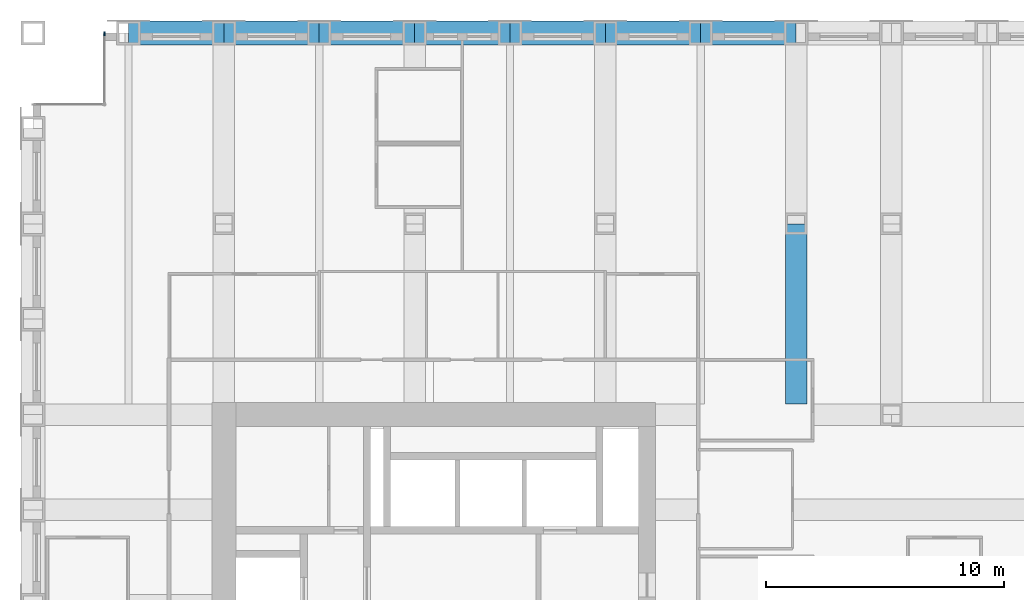
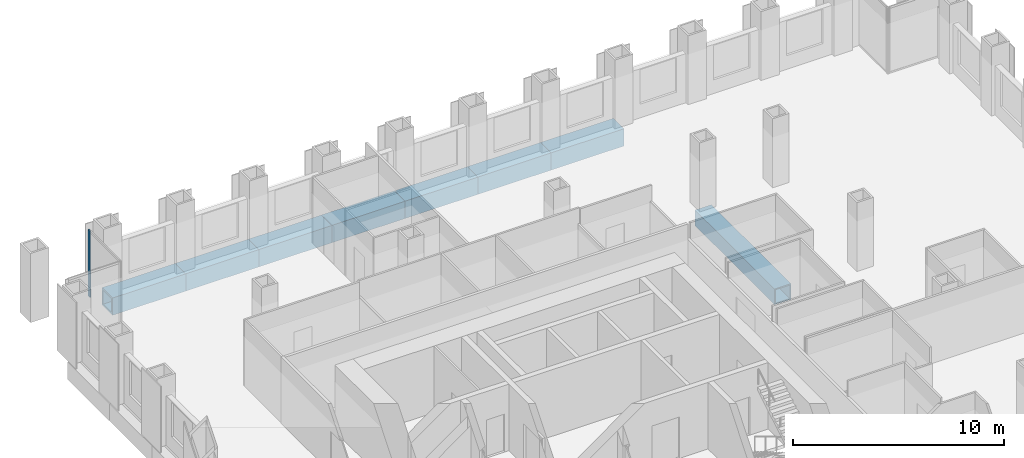
# One storey, part 8 of 16: 8 beams, 1 member, 1 element without a shape of its own.
"""IFC4 building model written with IfcOpenShell, lengths in metres."""

from ifc_helpers import new_model, si_unit, direction, frame, origin, origin_2d, place, context, subcontext, project, spatial, rectangle, hollow_rectangle, extrude, material, material_profile, profile_set, type_object, element, aggregate, save


model = new_model("IFC4")

# Units and contexts
model_context = context("Model", 3, precision=1e-05, world=origin(), true_north=direction((0.0, 1.0)))
body_context = subcontext(model_context, "Body", "Model", "MODEL_VIEW")
ifc_project = project(units=[si_unit("LENGTHUNIT", "METRE"), si_unit("AREAUNIT", "SQUARE_METRE"), si_unit("VOLUMEUNIT", "CUBIC_METRE"), si_unit("PLANEANGLEUNIT", "RADIAN"), si_unit("MASSUNIT", "GRAM", prefix="KILO")], contexts=[model_context])

# Site, building, storey
site_placement = place(None, origin())
site = spatial("IfcSite", under=ifc_project, at=site_placement, CompositionType="ELEMENT")
building_placement = place(site_placement, origin())
building = spatial("IfcBuilding", under=site, at=building_placement, Name="Rimbunsela Tower", CompositionType="ELEMENT")
storey_placement = place(building_placement, frame((0.0, 0.0, 121.39990234375)))
storey = spatial("IfcBuildingStorey", under=building, at=storey_placement, Name="L29", CompositionType="ELEMENT", Elevation=121.39990234375)

# Beams
ifc_material_1 = material(Name="Steel BJ 55 (fy 410 MPa)", Category="steel")
ifc_material_profile_1 = material_profile(ifc_material_1, hollow_rectangle(XDim=1.0, YDim=1.0, WallThickness=0.10009765625, at=origin_2d()), Name="BOX 1000x1000x100")
ifc_profile_set_1 = profile_set([ifc_material_profile_1], Name="Steel BJ 55 (fy 410 MPa)")
beam_type_1 = type_object("IfcBeamType", Name="Beam BOX 1000x1000x100", PredefinedType="BEAM", material=ifc_profile_set_1)
for number, where, z_axis, x_axis, name in (
    (1, (14.0, 52.0, -0.64990234375), (1.0, 0.0, 0.0), (0.0, 1.0, 0.0), "Beam B3 L29"),
    (2, (18.0, 52.0, -0.64990234375), (1.0, 0.0, 0.0), (0.0, 1.0, 0.0), "Beam B3 L29"),
    (3, (22.0, 52.0, -0.64990234375), (1.0, 0.0, 0.0), (0.0, 1.0, 0.0), "Beam B3 L29"),
    (4, (26.0, 52.0, -0.64990234375), (1.0, 0.0, 0.0), (0.0, 1.0, 0.0), "Beam B3 L29"),
    (5, (30.0, 52.0, -0.64990234375), (1.0, 0.0, 0.0), (0.0, 1.0, 0.0), "Beam B3 L29"),
    (6, (34.0, 52.0, -0.64990234375), (1.0, 0.0, 0.0), (0.0, 1.0, 0.0), "Beam B3 L29"),
    (7, (38.0, 52.0, -0.64990234375), (1.0, 0.0, 0.0), (0.0, 1.0, 0.0), "Beam B3 L29"),
):
    element("IfcBeam", number, at=place(storey_placement, frame(where, z_axis=z_axis, x_axis=x_axis)), inside=storey, type_object=beam_type_1, Name=name, PredefinedType="BEAM", context=body_context, shape_type="SweptSolid", body=[
        extrude(hollow_rectangle(XDim=1.0, YDim=1.0, WallThickness=0.10009765625, at=origin_2d()), origin(), (0.0, 0.0, 1.0), 4.0),
    ])
ifc_material_2 = material(Name="Steel BJ 55 (fy 410 MPa)", Category="steel")
ifc_material_profile_2 = material_profile(ifc_material_2, hollow_rectangle(XDim=0.89990234375, YDim=0.89990234375, WallThickness=0.06005859375, at=origin_2d()), Name="BOX 900x900x60")
ifc_profile_set_2 = profile_set([ifc_material_profile_2], Name="Steel BJ 55 (fy 410 MPa)")
beam_type_2 = type_object("IfcBeamType", Name="Beam BOX 900x900x60", PredefinedType="BEAM", material=ifc_profile_set_2)
beam_placement = place(storey_placement, frame((42.0, 36.449951171875, -0.599853515625), z_axis=(0.0, 1.0, 0.0), x_axis=(-1.0, 0.0, 0.0)))
element("IfcBeam", 8, at=beam_placement, inside=storey, type_object=beam_type_2, Name="Beam B1 L29", PredefinedType="BEAM", context=body_context, shape_type="SweptSolid", body=[
    extrude(hollow_rectangle(XDim=0.89990234375, YDim=0.89990234375, WallThickness=0.06005859375, at=origin_2d()), origin(), (0.0, 0.0, 1.0), 7.550048828125),
])

# Curtain wall, member
ifc_material_3 = material(Name="Aluminium curtain wall", Category="aluminium")
curtain_wall_type = type_object("IfcCurtainWallType", Name="Corner glazing", PredefinedType="USERDEFINED", material=ifc_material_3)
curtain_wall_placement = place(storey_placement, origin())
curtain_wall = element("IfcCurtainWall", 9, at=curtain_wall_placement, inside=storey, type_object=curtain_wall_type, Name="Corner glazing L29", ObjectType="CORNER GLAZING", PredefinedType="USERDEFINED")
ifc_material_4 = material(Name="Aluminium mullion", Category="aluminium")
ifc_material_profile_3 = material_profile(ifc_material_4, rectangle(XDim=0.06005859375, YDim=0.159912109375, at=origin_2d()), Name="Mullion 60x160")
ifc_profile_set_3 = profile_set([ifc_material_profile_3], Name="Aluminium mullion")
member_type = type_object("IfcMemberType", Name="Curtain wall mullion 60x160", PredefinedType="MULLION", material=ifc_profile_set_3)
member_placement = place(storey_placement, frame((13.0, 51.969970703125, 0.0), z_axis=(0.0, 0.0, 1.0), x_axis=(1.0, 0.0, 0.0)))
member = element("IfcMember", 10, at=member_placement, type_object=member_type, Name="CW5 mullion 1", PredefinedType="MULLION", context=body_context, shape_type="SweptSolid", body=[
    extrude(rectangle(XDim=0.06005859375, YDim=0.159912109375, at=origin_2d()), origin(), (0.0, 0.0, 1.0), 3.85009765625),
])
aggregate(curtain_wall, [member])

save(model, "model.ifc")
